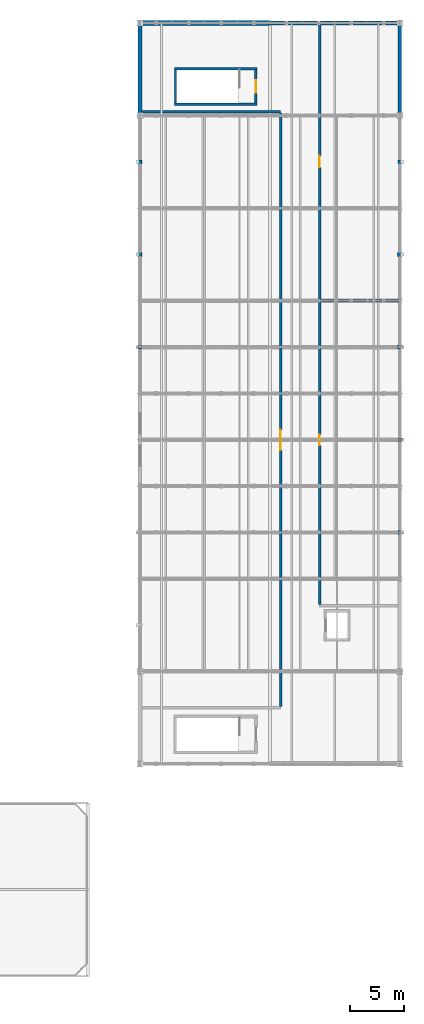
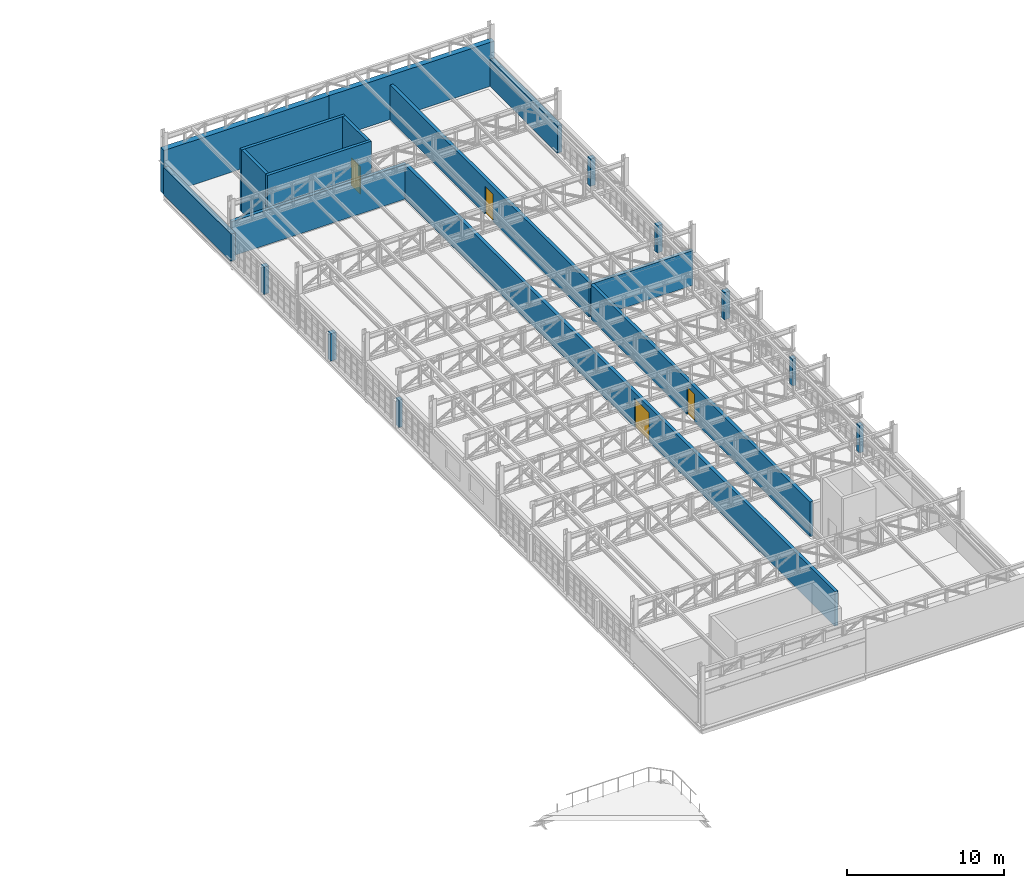
# One storey, part 118 of 128: 21 walls, 4 doors, 4 openings.
"""IFC4 building model written with IfcOpenShell, lengths in metres."""

from ifc_helpers import new_model, si_unit, direction, frame, frame_2d, origin, place, context, subcontext, project, spatial, rectangle, extrude, material, layer, layer_set, type_object, element, fill, save


model = new_model("IFC4")

# Units and contexts
model_context = context("Model", 3, precision=1e-05, world=origin(), true_north=direction((0.0, 1.0)))
body_context = subcontext(model_context, "Body", "Model", "MODEL_VIEW")
ifc_project = project(units=[si_unit("LENGTHUNIT", "METRE"), si_unit("AREAUNIT", "SQUARE_METRE"), si_unit("VOLUMEUNIT", "CUBIC_METRE"), si_unit("PLANEANGLEUNIT", "RADIAN"), si_unit("MASSUNIT", "GRAM", prefix="KILO")], contexts=[model_context])

# Site, building, storey
site_placement = place(None, origin())
site = spatial("IfcSite", under=ifc_project, at=site_placement, CompositionType="ELEMENT")
building_placement = place(site_placement, origin())
building = spatial("IfcBuilding", under=site, at=building_placement, Name="Serraforn Aerial Cableway Station", CompositionType="ELEMENT")
storey_placement = place(building_placement, frame((0.0, 0.0, 9.0)))
storey = spatial("IfcBuildingStorey", under=building, at=storey_placement, Name="L02", CompositionType="ELEMENT", Elevation=9.0)

# Wall, opening, door
ifc_material_1 = material(Name="Concrete C35/45", Category="concrete")
ifc_layer_1 = layer(ifc_material_1, 0.219970703125)
ifc_layer_set_1 = layer_set([ifc_layer_1], Name="Concrete C35/45")
wall_type_1 = type_object("IfcWallType", Name="WL-COR-220", PredefinedType="SHEAR", material=ifc_layer_set_1)
wall_1_placement = place(storey_placement, frame((154.7099609375, 109.659912109375, 0.0), z_axis=(0.0, 0.0, 1.0), x_axis=(0.0, -1.0, 0.0)))
wall_1 = element("IfcWall", 1, at=wall_1_placement, inside=storey, type_object=wall_type_1, Name="Stair Core Shear Wall WCOR-ST-11-L02-NEAR", PredefinedType="SHEAR", context=body_context, shape_type="SweptSolid", body=[
    extrude(rectangle(XDim=3.059814453125, YDim=0.219970703125, at=frame_2d((1.52978515625, 0.0))), origin(), (0.0, 0.0, 1.0), 4.800048828125),
])
opening_1_placement = place(wall_1_placement, frame((0.955078125, 0.0, 0.0)))
opening_1 = element("IfcOpeningElement", 2, at=opening_1_placement, cuts=wall_1, Name="Opening D-S38", PredefinedType="OPENING", context=body_context, shape_type="SweptSolid", body=[
    extrude(rectangle(XDim=1.14990234375, YDim=2.14990234375, at=frame_2d((0.574951171875, 1.074951171875))), frame((0.0, 0.119873046875, 0.0), z_axis=(0.0, -1.0, 0.0), x_axis=(1.0, 0.0, 0.0)), (0.0, 0.0, 1.0), 0.239990234375),
])
ifc_material_2 = material(Name="Self-closing steel stair fire door", Category="steel")
door_type_1 = type_object("IfcDoorType", Name="DR-STAIR-115", OperationType="NOTDEFINED", PredefinedType="DOOR", material=ifc_material_2)
door_1_placement = place(opening_1_placement, origin())
door_1 = element("IfcDoor", 3, at=door_1_placement, inside=storey, type_object=door_type_1, Name="Protected Stair Door D-S38", OperationType="SINGLE_SWING_LEFT", OverallHeight=2.14990234375, OverallWidth=1.14990234375, PredefinedType="DOOR", context=body_context, shape_type="SweptSolid", body=[
    extrude(rectangle(XDim=1.14990234375, YDim=2.14990234375, at=frame_2d((0.574951171875, 1.074951171875))), frame((0.0, 0.02490234375, 0.0), z_axis=(0.0, -1.0, 0.0), x_axis=(1.0, 0.0, 0.0)), (0.0, 0.0, 1.0), 0.050048828125),
])
fill(opening_1, door_1)

# Walls
wall_2_placement = place(storey_placement, frame((147.2900390625, 109.659912109375, 0.0), z_axis=(0.0, 0.0, 1.0), x_axis=(0.0, -1.0, 0.0)))
element("IfcWall", 4, at=wall_2_placement, inside=storey, type_object=wall_type_1, Name="Stair Core Shear Wall WCOR-ST-11-L02-FAR", PredefinedType="SHEAR", context=body_context, shape_type="SweptSolid", body=[
    extrude(rectangle(XDim=3.059814453125, YDim=0.219970703125, at=frame_2d((1.52978515625, 0.0))), origin(), (0.0, 0.0, 1.0), 4.800048828125),
])
for number, where, z_axis, x_axis, name in (
    (5, (154.820068359375, 109.77001953125, 0.0), (0.0, 0.0, 1.0), (-1.0, 0.0, 0.0), "Stair Core Shear Wall WCOR-ST-11-L02-L"),
    (6, (154.820068359375, 106.489990234375, 0.0), (0.0, 0.0, 1.0), (-1.0, 0.0, 0.0), "Stair Core Shear Wall WCOR-ST-11-L02-R"),
):
    element("IfcWall", number, at=place(storey_placement, frame(where, z_axis=z_axis, x_axis=x_axis)), inside=storey, type_object=wall_type_1, Name=name, PredefinedType="SHEAR", context=body_context, shape_type="SweptSolid", body=[
        extrude(rectangle(XDim=7.64013671875, YDim=0.219970703125, at=frame_2d((3.820068359375, 0.0))), origin(), (0.0, 0.0, 1.0), 4.800048828125),
    ])
ifc_material_3 = material(Name="Insulated stuccoed terracotta facade", Category="masonry")
ifc_layer_2 = layer(ifc_material_3, 0.260009765625)
ifc_layer_set_2 = layer_set([ifc_layer_2], Name="Insulated stuccoed terracotta facade")
wall_type_2 = type_object("IfcWallType", Name="WL-EXT-260", PredefinedType="SOLIDWALL", material=ifc_layer_set_2)
wall_3_placement = place(storey_placement, frame((144.0, 84.2548828125, 0.0), z_axis=(0.0, 0.0, 1.0), x_axis=(0.0, -1.0, 0.0)))
element("IfcWall", 7, at=wall_3_placement, inside=storey, type_object=wall_type_2, Name="Exterior Wall WPIER-EG-L02-W5", PredefinedType="SOLIDWALL", context=body_context, shape_type="SweptSolid", body=[
    extrude(rectangle(XDim=0.35986328125, YDim=0.260009765625, at=frame_2d((0.179931640625, 0.0))), origin(), (0.0, 0.0, 1.0), 2.1201171875),
])
ifc_layer_3 = layer(ifc_material_3, 0.27490234375)
ifc_layer_set_3 = layer_set([ifc_layer_3], Name="Insulated stuccoed terracotta facade")
wall_type_3 = type_object("IfcWallType", Name="WL-EXT-275", PredefinedType="SOLIDWALL", material=ifc_layer_set_3)
wall_4_placement = place(storey_placement, frame((168.0, 75.344970703125, 0.0), z_axis=(0.0, 0.0, 1.0), x_axis=(0.0, 1.0, 0.0)))
element("IfcWall", 8, at=wall_4_placement, inside=storey, type_object=wall_type_3, Name="Exterior Wall WPIER-EG-L02-E4", PredefinedType="SOLIDWALL", context=body_context, shape_type="SweptSolid", body=[
    extrude(rectangle(XDim=0.360107421875, YDim=0.27490234375, at=frame_2d((0.18017578125, 0.0))), origin(), (0.0, 0.0, 1.0), 2.1201171875),
])
ifc_material_4 = material(Name="Insulated fluted limestone rainscreen", Category="masonry")
ifc_layer_4 = layer(ifc_material_4, 0.304931640625)
ifc_layer_set_4 = layer_set([ifc_layer_4], Name="Insulated fluted limestone rainscreen")
wall_type_4 = type_object("IfcWallType", Name="WL-EXT-305", PredefinedType="SOLIDWALL", material=ifc_layer_set_4)
wall_5_placement = place(storey_placement, frame((168.0, 66.794921875, 0.0), z_axis=(0.0, 0.0, 1.0), x_axis=(0.0, 1.0, 0.0)))
element("IfcWall", 9, at=wall_5_placement, inside=storey, type_object=wall_type_4, Name="Exterior Wall WPIER-EG-L02-E3", PredefinedType="SOLIDWALL", context=body_context, shape_type="SweptSolid", body=[
    extrude(rectangle(XDim=0.360107421875, YDim=0.304931640625, at=frame_2d((0.18017578125, 0.0))), origin(), (0.0, 0.0, 1.0), 2.1201171875),
])
ifc_layer_5 = layer(ifc_material_4, 0.3349609375)
ifc_layer_set_5 = layer_set([ifc_layer_5], Name="Insulated fluted limestone rainscreen")
wall_type_5 = type_object("IfcWallType", Name="WL-EXT-335", PredefinedType="SOLIDWALL", material=ifc_layer_set_5)
wall_6_placement = place(storey_placement, frame((168.0, 105.22509765625, 0.0), z_axis=(0.0, 0.0, 1.0), x_axis=(0.0, 1.0, 0.0)))
element("IfcWall", 10, at=wall_6_placement, inside=storey, type_object=wall_type_5, Name="Exterior Wall WEXT-EG-L02-E8", PredefinedType="SOLIDWALL", context=body_context, shape_type="SweptSolid", body=[
    extrude(rectangle(XDim=8.573974609375, YDim=0.3349609375, at=frame_2d((4.287109375, 0.0))), origin(), (0.0, 0.0, 1.0), 2.1201171875),
])
ifc_material_5 = material(Name="Montjuic sandstone ashlar masonry", Category="masonry")
ifc_layer_6 = layer(ifc_material_5, 0.35009765625)
ifc_layer_set_6 = layer_set([ifc_layer_6], Name="Montjuic sandstone ashlar masonry")
wall_type_6 = type_object("IfcWallType", Name="WL-EXT-350", PredefinedType="SOLIDWALL", material=ifc_layer_set_6)
wall_7_placement = place(storey_placement, frame((144.0, 113.783935546875, 0.0), z_axis=(0.0, 0.0, 1.0), x_axis=(0.0, -1.0, 0.0)))
element("IfcWall", 11, at=wall_7_placement, inside=storey, type_object=wall_type_6, Name="Exterior Wall WEXT-EG-L02-W8", PredefinedType="SOLIDWALL", context=body_context, shape_type="SweptSolid", body=[
    extrude(rectangle(XDim=8.558837890625, YDim=0.35009765625, at=frame_2d((4.279296875, 0.0))), origin(), (0.0, 0.0, 1.0), 2.1201171875),
])
ifc_layer_7 = layer(ifc_material_5, 0.364990234375)
ifc_layer_set_7 = layer_set([ifc_layer_7], Name="Montjuic sandstone ashlar masonry")
wall_type_7 = type_object("IfcWallType", Name="WL-EXT-365", PredefinedType="SOLIDWALL", material=ifc_layer_set_7)
wall_8_placement = place(storey_placement, frame((168.0, 100.9951171875, 0.0), z_axis=(0.0, 0.0, 1.0), x_axis=(0.0, 1.0, 0.0)))
element("IfcWall", 12, at=wall_8_placement, inside=storey, type_object=wall_type_7, Name="Exterior Wall WPIER-EG-L02-E7", PredefinedType="SOLIDWALL", context=body_context, shape_type="SweptSolid", body=[
    extrude(rectangle(XDim=0.35986328125, YDim=0.364990234375, at=frame_2d((0.179931640625, 0.0))), origin(), (0.0, 0.0, 1.0), 2.1201171875),
])
ifc_layer_8 = layer(ifc_material_5, 0.3798828125)
ifc_layer_set_8 = layer_set([ifc_layer_8], Name="Montjuic sandstone ashlar masonry")
wall_type_8 = type_object("IfcWallType", Name="WL-EXT-380", PredefinedType="SOLIDWALL", material=ifc_layer_set_8)
wall_9_placement = place(storey_placement, frame((144.0, 101.35498046875, 0.0), z_axis=(0.0, 0.0, 1.0), x_axis=(0.0, -1.0, 0.0)))
element("IfcWall", 13, at=wall_9_placement, inside=storey, type_object=wall_type_8, Name="Exterior Wall WPIER-EG-L02-W7", PredefinedType="SOLIDWALL", context=body_context, shape_type="SweptSolid", body=[
    extrude(rectangle(XDim=0.35986328125, YDim=0.3798828125, at=frame_2d((0.179931640625, 0.0))), origin(), (0.0, 0.0, 1.0), 2.1201171875),
])
ifc_layer_9 = layer(ifc_material_5, 0.39990234375)
ifc_layer_set_9 = layer_set([ifc_layer_9], Name="Montjuic sandstone ashlar masonry")
wall_type_9 = type_object("IfcWallType", Name="WL-EXT-400", PredefinedType="SOLIDWALL", material=ifc_layer_set_9)
wall_10_placement = place(storey_placement, frame((168.14990234375, 114.0, 0.0), z_axis=(0.0, 0.0, 1.0), x_axis=(-1.0, 0.0, 0.0)))
element("IfcWall", 14, at=wall_10_placement, inside=storey, type_object=wall_type_9, Name="Exterior Wall WEXT-EG-L02-N2", PredefinedType="SOLIDWALL", context=body_context, shape_type="SweptSolid", body=[
    extrude(rectangle(XDim=12.14990234375, YDim=0.39990234375, at=frame_2d((6.074951171875, 0.0))), origin(), (0.0, 0.0, 1.0), 3.419921875),
])
wall_11_placement = place(storey_placement, frame((168.0, 92.445068359375, 0.0), z_axis=(0.0, 0.0, 1.0), x_axis=(0.0, 1.0, 0.0)))
element("IfcWall", 15, at=wall_11_placement, inside=storey, type_object=wall_type_9, Name="Exterior Wall WPIER-EG-L02-E6", PredefinedType="SOLIDWALL", context=body_context, shape_type="SweptSolid", body=[
    extrude(rectangle(XDim=0.35986328125, YDim=0.39990234375, at=frame_2d((0.179931640625, 0.0))), origin(), (0.0, 0.0, 1.0), 2.1201171875),
])
ifc_layer_10 = layer(ifc_material_5, 0.4150390625)
ifc_layer_set_10 = layer_set([ifc_layer_10], Name="Montjuic sandstone ashlar masonry")
wall_type_10 = type_object("IfcWallType", Name="WL-EXT-415", PredefinedType="SOLIDWALL", material=ifc_layer_set_10)
wall_12_placement = place(storey_placement, frame((144.0, 92.804931640625, 0.0), z_axis=(0.0, 0.0, 1.0), x_axis=(0.0, -1.0, 0.0)))
element("IfcWall", 16, at=wall_12_placement, inside=storey, type_object=wall_type_10, Name="Exterior Wall WPIER-EG-L02-W6", PredefinedType="SOLIDWALL", context=body_context, shape_type="SweptSolid", body=[
    extrude(rectangle(XDim=0.35986328125, YDim=0.4150390625, at=frame_2d((0.179931640625, 0.0))), origin(), (0.0, 0.0, 1.0), 2.1201171875),
])
ifc_layer_11 = layer(ifc_material_5, 0.429931640625)
ifc_layer_set_11 = layer_set([ifc_layer_11], Name="Montjuic sandstone ashlar masonry")
wall_type_11 = type_object("IfcWallType", Name="WL-EXT-430", PredefinedType="SOLIDWALL", material=ifc_layer_set_11)
wall_13_placement = place(storey_placement, frame((156.0, 114.0, 0.0), z_axis=(0.0, 0.0, 1.0), x_axis=(-1.0, 0.0, 0.0)))
element("IfcWall", 17, at=wall_13_placement, inside=storey, type_object=wall_type_11, Name="Exterior Wall WEXT-EG-L02-N1", PredefinedType="SOLIDWALL", context=body_context, shape_type="SweptSolid", body=[
    extrude(rectangle(XDim=12.14990234375, YDim=0.429931640625, at=frame_2d((6.074951171875, 0.0))), origin(), (0.0, 0.0, 1.0), 3.419921875),
])
wall_14_placement = place(storey_placement, frame((168.0, 83.89501953125, 0.0), z_axis=(0.0, 0.0, 1.0), x_axis=(0.0, 1.0, 0.0)))
element("IfcWall", 18, at=wall_14_placement, inside=storey, type_object=wall_type_11, Name="Exterior Wall WPIER-EG-L02-E5", PredefinedType="SOLIDWALL", context=body_context, shape_type="SweptSolid", body=[
    extrude(rectangle(XDim=0.35986328125, YDim=0.429931640625, at=frame_2d((0.179931640625, 0.0))), origin(), (0.0, 0.0, 1.0), 2.1201171875),
])
ifc_material_6 = material(Name="Concrete C30/37", Category="concrete")
ifc_layer_12 = layer(ifc_material_6, 0.241943359375)
ifc_layer_set_12 = layer_set([ifc_layer_12], Name="Concrete C30/37")
wall_type_12 = type_object("IfcWallType", Name="WL-FIR-242", PredefinedType="SOLIDWALL", material=ifc_layer_set_12)
wall_15_placement = place(storey_placement, frame((144.176025390625, 105.800048828125, 0.0), z_axis=(0.0, 0.0, 1.0), x_axis=(1.0, 0.0, 0.0)))
element("IfcWall", 19, at=wall_15_placement, inside=storey, type_object=wall_type_12, Name="Interior Partition WPRT-L02-12-190", PredefinedType="SOLIDWALL", context=body_context, shape_type="SweptSolid", body=[
    extrude(rectangle(XDim=12.823974609375, YDim=0.241943359375, at=frame_2d((6.412109375, 0.0))), origin(), (0.0, 0.0, 1.0), 2.699951171875),
])
wall_16_placement = place(storey_placement, frame((160.60009765625, 88.35009765625, 0.0), z_axis=(0.0, 0.0, 1.0), x_axis=(1.0, 0.0, 0.0)))
element("IfcWall", 20, at=wall_16_placement, inside=storey, type_object=wall_type_12, Name="Interior Partition WPRT-L02-13-194", PredefinedType="SOLIDWALL", context=body_context, shape_type="SweptSolid", body=[
    extrude(rectangle(XDim=7.39990234375, YDim=0.241943359375, at=frame_2d((3.699951171875, 0.0))), origin(), (0.0, 0.0, 1.0), 2.699951171875),
])

# Wall, opening, door
wall_17_placement = place(storey_placement, frame((160.60009765625, 88.471923828125, 0.0), z_axis=(0.0, 0.0, 1.0), x_axis=(0.0, 1.0, 0.0)))
wall_17 = element("IfcWall", 21, at=wall_17_placement, inside=storey, type_object=wall_type_12, Name="Interior Partition WPRT-L02-14-196", PredefinedType="SOLIDWALL", context=body_context, shape_type="SweptSolid", body=[
    extrude(rectangle(XDim=25.3271484375, YDim=0.241943359375, at=frame_2d((12.66357421875, 0.0))), origin(), (0.0, 0.0, 1.0), 2.699951171875),
])
opening_2_placement = place(wall_17_placement, frame((12.202880859375, 0.0, 0.0)))
opening_2 = element("IfcOpeningElement", 22, at=opening_2_placement, cuts=wall_17, Name="Opening DI-061", PredefinedType="OPENING", context=body_context, shape_type="SweptSolid", body=[
    extrude(rectangle(XDim=1.050048828125, YDim=2.14990234375, at=frame_2d((0.52490234375, 1.074951171875))), frame((0.0, 0.130859375, 0.0), z_axis=(0.0, -1.0, 0.0), x_axis=(1.0, 0.0, 0.0)), (0.0, 0.0, 1.0), 0.261962890625),
])
ifc_material_7 = material(Name="Fire-rated oak veneer leaf")
door_type_2 = type_object("IfcDoorType", Name="DR-INT-105", OperationType="NOTDEFINED", PredefinedType="DOOR", material=ifc_material_7)
door_2_placement = place(opening_2_placement, origin())
door_2 = element("IfcDoor", 23, at=door_2_placement, inside=storey, type_object=door_type_2, Name="Room Door DI-061 (L02-14)", OperationType="SINGLE_SWING_RIGHT", OverallHeight=2.14990234375, OverallWidth=1.050048828125, PredefinedType="DOOR", context=body_context, shape_type="SweptSolid", body=[
    extrude(rectangle(XDim=1.050048828125, YDim=2.14990234375, at=frame_2d((0.52490234375, 1.074951171875))), frame((0.0, 0.02490234375, 0.0), z_axis=(0.0, -1.0, 0.0), x_axis=(1.0, 0.0, 0.0)), (0.0, 0.0, 1.0), 0.050048828125),
])
fill(opening_2, door_2)

ifc_material_8 = material(Name="Acoustic masonry blockwork", Category="masonry")
ifc_layer_13 = layer(ifc_material_8, 0.235107421875)
ifc_layer_set_13 = layer_set([ifc_layer_13], Name="Acoustic masonry blockwork")
wall_type_13 = type_object("IfcWallType", Name="WL-PRT-235", PredefinedType="PARTITIONING", material=ifc_layer_set_13)
wall_18_placement = place(storey_placement, frame((157.0, 105.677978515625, 0.0), z_axis=(0.0, 0.0, 1.0), x_axis=(0.0, -1.0, 0.0)))
wall_18 = element("IfcWall", 24, at=wall_18_placement, inside=storey, type_object=wall_type_13, Name="Interior Partition WPRT-L02-12-191", PredefinedType="PARTITIONING", context=body_context, shape_type="SweptSolid", body=[
    extrude(rectangle(XDim=54.755859375, YDim=0.235107421875, at=frame_2d((27.3779296875, 0.0))), origin(), (0.0, 0.0, 1.0), 2.699951171875),
])
opening_3_placement = place(wall_18_placement, frame((29.238037109375, 0.0, 0.0)))
opening_3 = element("IfcOpeningElement", 25, at=opening_3_placement, cuts=wall_18, Name="Opening DI-059", PredefinedType="OPENING", context=body_context, shape_type="SweptSolid", body=[
    extrude(rectangle(XDim=1.8798828125, YDim=2.25, at=frame_2d((0.93994140625, 1.125))), frame((0.0, 0.12744140625, 0.0), z_axis=(0.0, -1.0, 0.0), x_axis=(1.0, 0.0, 0.0)), (0.0, 0.0, 1.0), 0.255126953125),
])
ifc_material_9 = material(Name="Double-leaf machinery vault door")
door_type_3 = type_object("IfcDoorType", Name="DR-INT-188", OperationType="NOTDEFINED", PredefinedType="DOOR", material=ifc_material_9)
door_3_placement = place(opening_3_placement, origin())
door_3 = element("IfcDoor", 26, at=door_3_placement, inside=storey, type_object=door_type_3, Name="Room Door DI-059 (L02-12)", OperationType="SINGLE_SWING_RIGHT", OverallHeight=2.25, OverallWidth=1.8798828125, PredefinedType="DOOR", context=body_context, shape_type="SweptSolid", body=[
    extrude(rectangle(XDim=1.8798828125, YDim=2.25, at=frame_2d((0.93994140625, 1.125))), frame((0.0, 0.02490234375, 0.0), z_axis=(0.0, -1.0, 0.0), x_axis=(1.0, 0.0, 0.0)), (0.0, 0.0, 1.0), 0.050048828125),
])
fill(opening_3, door_3)

wall_19_placement = place(storey_placement, frame((160.60009765625, 60.318603515625, 0.0), z_axis=(0.0, 0.0, 1.0), x_axis=(0.0, 1.0, 0.0)))
wall_19 = element("IfcWall", 27, at=wall_19_placement, inside=storey, type_object=wall_type_13, Name="Interior Partition WPRT-L02-13-193", PredefinedType="PARTITIONING", context=body_context, shape_type="SweptSolid", body=[
    extrude(rectangle(XDim=27.909423828125, YDim=0.235107421875, at=frame_2d((13.95458984375, 0.0))), origin(), (0.0, 0.0, 1.0), 2.699951171875),
])
opening_4_placement = place(wall_19_placement, frame((14.681396484375, 0.0, 0.0)))
opening_4 = element("IfcOpeningElement", 28, at=opening_4_placement, cuts=wall_19, Name="Opening DI-060", PredefinedType="OPENING", context=body_context, shape_type="SweptSolid", body=[
    extrude(rectangle(XDim=1.0, YDim=2.14990234375, at=frame_2d((0.5, 1.074951171875))), frame((0.0, 0.12744140625, 0.0), z_axis=(0.0, -1.0, 0.0), x_axis=(1.0, 0.0, 0.0)), (0.0, 0.0, 1.0), 0.255126953125),
])
door_type_4 = type_object("IfcDoorType", Name="DR-INT-100", OperationType="NOTDEFINED", PredefinedType="DOOR", material=ifc_material_7)
door_4_placement = place(opening_4_placement, origin())
door_4 = element("IfcDoor", 29, at=door_4_placement, inside=storey, type_object=door_type_4, Name="Room Door DI-060 (L02-13)", OperationType="SINGLE_SWING_LEFT", OverallHeight=2.14990234375, OverallWidth=1.0, PredefinedType="DOOR", context=body_context, shape_type="SweptSolid", body=[
    extrude(rectangle(XDim=1.0, YDim=2.14990234375, at=frame_2d((0.5, 1.074951171875))), frame((0.0, 0.02490234375, 0.0), z_axis=(0.0, -1.0, 0.0), x_axis=(1.0, 0.0, 0.0)), (0.0, 0.0, 1.0), 0.050048828125),
])
fill(opening_4, door_4)

save(model, "model.ifc")
